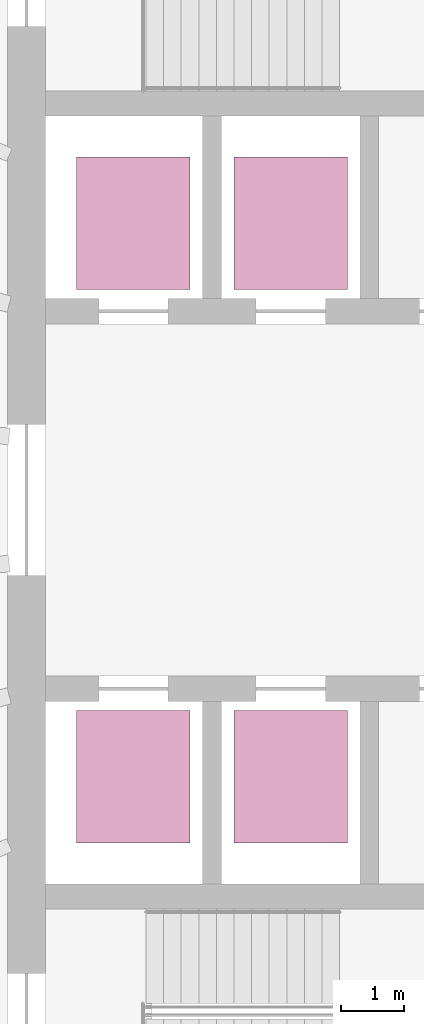
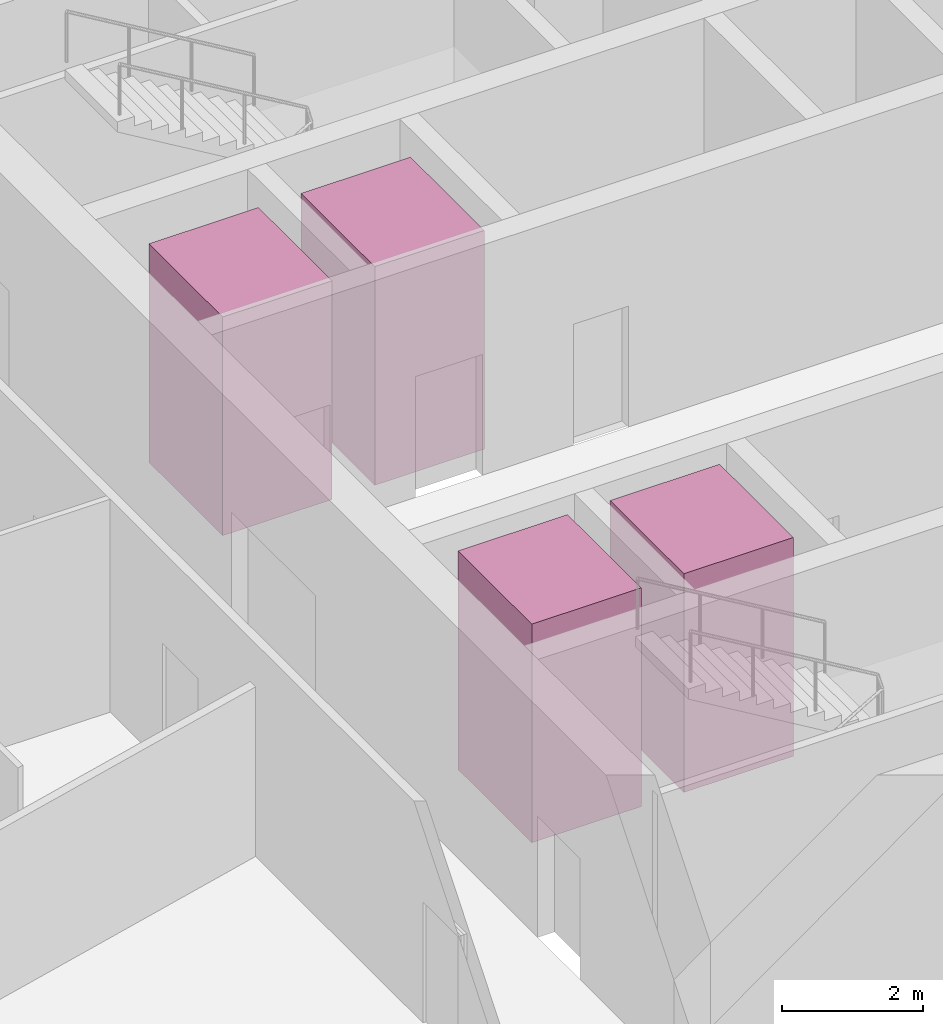
# One storey, part 10 of 10: 4 transport elements.
"""IFC4 building model written with IfcOpenShell, lengths in metres."""

from ifc_helpers import new_model, si_unit, direction, frame, origin, origin_2d, place, context, subcontext, project, spatial, rectangle, extrude, material, type_object, element, save


model = new_model("IFC4")

# Units and contexts
model_context = context("Model", 3, precision=1e-05, world=origin(), true_north=direction((0.0, 1.0)))
body_context = subcontext(model_context, "Body", "Model", "MODEL_VIEW")
ifc_project = project(units=[si_unit("LENGTHUNIT", "METRE"), si_unit("AREAUNIT", "SQUARE_METRE"), si_unit("VOLUMEUNIT", "CUBIC_METRE"), si_unit("PLANEANGLEUNIT", "RADIAN"), si_unit("MASSUNIT", "GRAM", prefix="KILO")], contexts=[model_context])

# Site, building, storey
site_placement = place(None, origin())
site = spatial("IfcSite", under=ifc_project, at=site_placement, CompositionType="ELEMENT")
building_placement = place(site_placement, origin())
building = spatial("IfcBuilding", under=site, at=building_placement, Name="Halqa Exchange Tower", CompositionType="ELEMENT")
storey_placement = place(building_placement, frame((0.0, 0.0, 316.300048828125)))
storey = spatial("IfcBuildingStorey", under=building, at=storey_placement, Name="L74", CompositionType="ELEMENT", Elevation=316.300048828125)

# Transport elements
ifc_material = material(Name="Stainless steel", Category="steel")
transport_element_type = type_object("IfcTransportElementType", Name="High-rise passenger lift 1800 x 2100", PredefinedType="ELEVATOR", material=ifc_material)
for number, where, z_axis, x_axis, name in (
    (1, (-10.0, 4.39990234375, 0.0), (0.0, 0.0, 1.0), (1.0, 0.0, 0.0), "High-rise passenger lift HR1"),
    (2, (-7.5, 4.39990234375, 0.0), (0.0, 0.0, 1.0), (1.0, 0.0, 0.0), "High-rise passenger lift HR2"),
    (3, (-10.0, -4.39990234375, 0.0), (0.0, 0.0, 1.0), (1.0, 0.0, 0.0), "High-rise passenger lift HR3"),
    (4, (-7.5, -4.39990234375, 0.0), (0.0, 0.0, 1.0), (1.0, 0.0, 0.0), "High-rise passenger lift HR4"),
):
    element("IfcTransportElement", number, at=place(storey_placement, frame(where, z_axis=z_axis, x_axis=x_axis)), inside=storey, type_object=transport_element_type, Name=name, PredefinedType="ELEVATOR", context=body_context, shape_type="SweptSolid", body=[
        extrude(rectangle(XDim=1.800048828125, YDim=2.10009765625, at=origin_2d()), origin(), (0.0, 0.0, 1.0), 3.800048828125),
    ])

save(model, "model.ifc")
